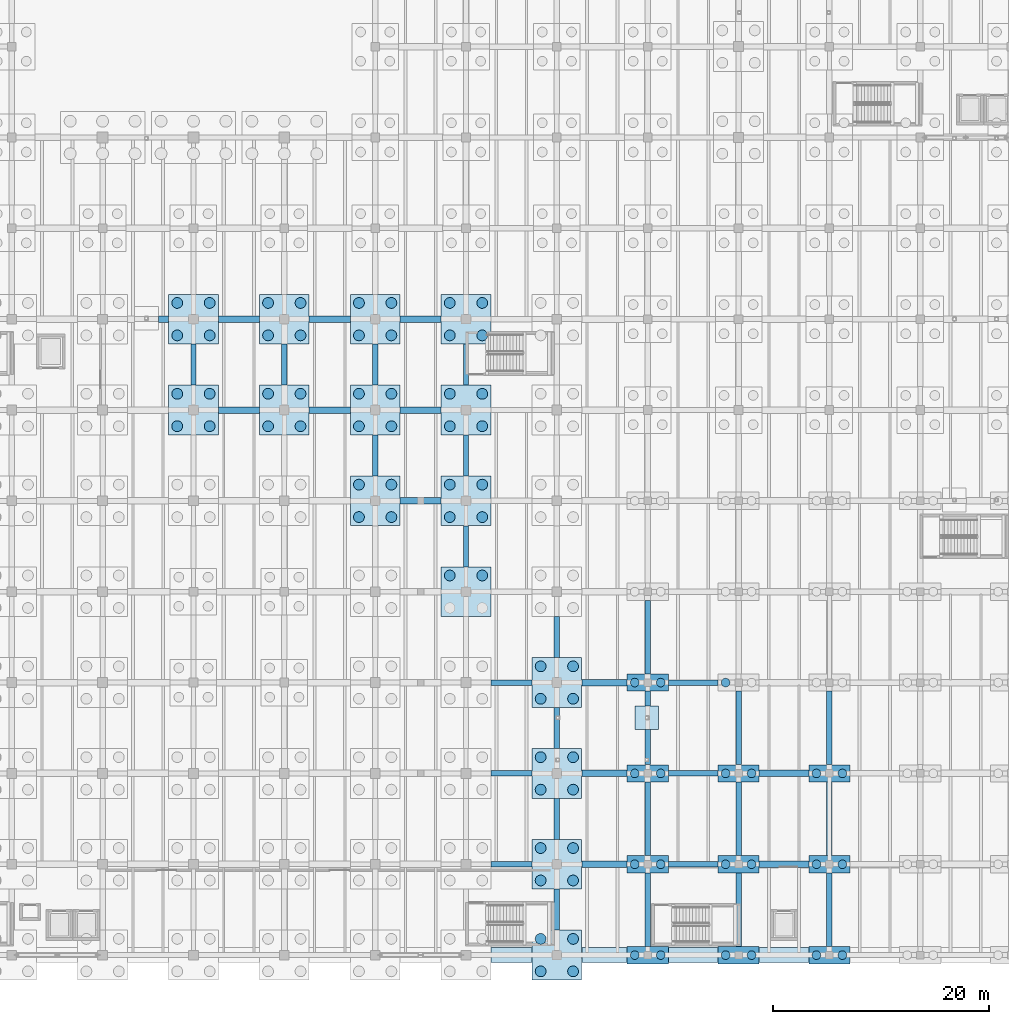
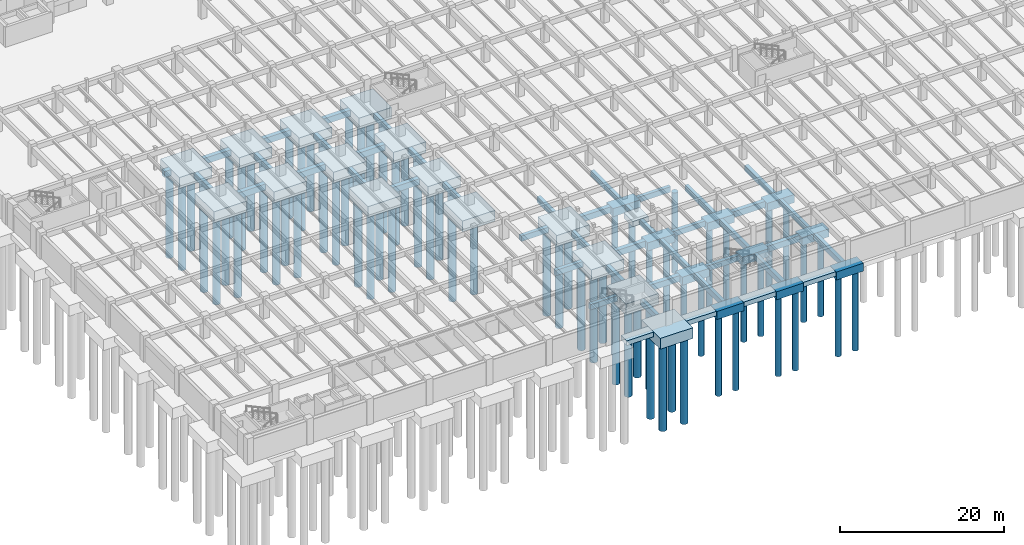
# One storey, part 3 of 70: 79 piles, 71 footings.
"""IFC4 building model written with IfcOpenShell, lengths in metres."""

from ifc_helpers import new_model, si_unit, direction, frame, origin, origin_2d, place, context, subcontext, project, spatial, rectangle, circle, extrude, material, material_profile, profile_set, type_object, element, save


model = new_model("IFC4")

# Units and contexts
model_context = context("Model", 3, precision=1e-05, world=origin(), true_north=direction((0.0, 1.0)))
body_context = subcontext(model_context, "Body", "Model", "MODEL_VIEW")
ifc_project = project(units=[si_unit("LENGTHUNIT", "METRE"), si_unit("AREAUNIT", "SQUARE_METRE"), si_unit("VOLUMEUNIT", "CUBIC_METRE"), si_unit("PLANEANGLEUNIT", "RADIAN"), si_unit("MASSUNIT", "GRAM", prefix="KILO")], contexts=[model_context])

# Site, building, storey
site_placement = place(None, origin())
site = spatial("IfcSite", under=ifc_project, at=site_placement, CompositionType="ELEMENT")
building_placement = place(site_placement, origin())
building = spatial("IfcBuilding", under=site, at=building_placement, Name="Cumbredor Promenade Congress Hotel", CompositionType="ELEMENT")
storey_placement = place(building_placement, frame((0.0, 0.0, -7.56005859375)))
storey = spatial("IfcBuildingStorey", under=building, at=storey_placement, Name="B02", CompositionType="ELEMENT", Elevation=-7.56005859375)

# Piles
ifc_material = material(Name="Concrete C40/50", Category="concrete")
ifc_material_profile_1 = material_profile(ifc_material, circle(Radius=0.39990234375, at=origin_2d()), Name="PILE D800")
ifc_profile_set_1 = profile_set([ifc_material_profile_1], Name="Concrete C40/50")
pile_type_1 = type_object("IfcPileType", Name="Bored Concrete Pile BP-01 800mm", PredefinedType="BORED", material=ifc_profile_set_1)
for number, where, z_axis, x_axis, name in (
    (1, (74.39990234375, 8.39990234375, -1.550048828125), (0.0, 0.0, -1.0), (1.0, 0.0, 0.0), "Bored Pile PC-01-114.1"),
    (2, (76.800048828125, 8.39990234375, -1.550048828125), (0.0, 0.0, -1.0), (1.0, 0.0, 0.0), "Bored Pile PC-01-114.2"),
    (3, (74.39990234375, 16.800048828125, -1.550048828125), (0.0, 0.0, -1.0), (1.0, 0.0, 0.0), "Bored Pile PC-01-115.1"),
    (4, (76.800048828125, 16.800048828125, -1.550048828125), (0.0, 0.0, -1.0), (1.0, 0.0, 0.0), "Bored Pile PC-01-115.2"),
    (5, (74.39990234375, 25.199951171875, -1.550048828125), (0.0, 0.0, -1.0), (1.0, 0.0, 0.0), "Bored Pile PC-01-116.1"),
    (6, (76.800048828125, 25.199951171875, -1.550048828125), (0.0, 0.0, -1.0), (1.0, 0.0, 0.0), "Bored Pile PC-01-116.2"),
    (7, (74.39990234375, 33.60009765625, -1.550048828125), (0.0, 0.0, -1.0), (1.0, 0.0, 0.0), "Bored Pile PC-01-117.1"),
    (8, (76.800048828125, 33.60009765625, -1.550048828125), (0.0, 0.0, -1.0), (1.0, 0.0, 0.0), "Bored Pile PC-01-117.2"),
    (9, (82.800048828125, 8.39990234375, -1.550048828125), (0.0, 0.0, -1.0), (1.0, 0.0, 0.0), "Bored Pile PC-01-128.1"),
    (10, (85.199951171875, 8.39990234375, -1.550048828125), (0.0, 0.0, -1.0), (1.0, 0.0, 0.0), "Bored Pile PC-01-128.2"),
    (11, (82.800048828125, 16.800048828125, -1.550048828125), (0.0, 0.0, -1.0), (1.0, 0.0, 0.0), "Bored Pile PC-01-129.1"),
    (12, (85.199951171875, 16.800048828125, -1.550048828125), (0.0, 0.0, -1.0), (1.0, 0.0, 0.0), "Bored Pile PC-01-129.2"),
    (13, (82.800048828125, 25.199951171875, -1.550048828125), (0.0, 0.0, -1.0), (1.0, 0.0, 0.0), "Bored Pile PC-01-130.1"),
    (14, (85.199951171875, 25.199951171875, -1.550048828125), (0.0, 0.0, -1.0), (1.0, 0.0, 0.0), "Bored Pile PC-01-130.2"),
    (15, (82.800048828125, 33.60009765625, -1.550048828125), (0.0, 0.0, -1.0), (1.0, 0.0, 0.0), "Bored Pile PC-01-131.1"),
    (16, (91.199951171875, 8.39990234375, -1.550048828125), (0.0, 0.0, -1.0), (1.0, 0.0, 0.0), "Bored Pile PC-01-142.1"),
    (17, (93.60009765625, 8.39990234375, -1.550048828125), (0.0, 0.0, -1.0), (1.0, 0.0, 0.0), "Bored Pile PC-01-142.2"),
    (18, (91.199951171875, 16.800048828125, -1.550048828125), (0.0, 0.0, -1.0), (1.0, 0.0, 0.0), "Bored Pile PC-01-143.1"),
    (19, (93.60009765625, 16.800048828125, -1.550048828125), (0.0, 0.0, -1.0), (1.0, 0.0, 0.0), "Bored Pile PC-01-143.2"),
    (20, (91.199951171875, 25.199951171875, -1.550048828125), (0.0, 0.0, -1.0), (1.0, 0.0, 0.0), "Bored Pile PC-01-144.1"),
    (21, (93.60009765625, 25.199951171875, -1.550048828125), (0.0, 0.0, -1.0), (1.0, 0.0, 0.0), "Bored Pile PC-01-144.2"),
):
    element("IfcPile", number, at=place(storey_placement, frame(where, z_axis=z_axis, x_axis=x_axis)), inside=storey, type_object=pile_type_1, Name=name, PredefinedType="BORED", context=body_context, shape_type="SweptSolid", body=[
        extrude(circle(Radius=0.39990234375, at=origin_2d()), origin(), (0.0, 0.0, 1.0), 12.0),
    ])
ifc_material_profile_2 = material_profile(ifc_material, circle(Radius=0.5, at=origin_2d()), Name="PILE D1000")
ifc_profile_set_2 = profile_set([ifc_material_profile_2], Name="Concrete C40/50")
pile_type_2 = type_object("IfcPileType", Name="Bored Concrete Pile BP-03 1000mm", PredefinedType="BORED", material=ifc_profile_set_2)
for number, where, z_axis, x_axis, name in (
    (22, (32.10009765625, 57.300048828125, -1.949951171875), (0.0, 0.0, -1.0), (1.0, 0.0, 0.0), "Bored Pile PC-03-052.1"),
    (23, (35.10009765625, 57.300048828125, -1.949951171875), (0.0, 0.0, -1.0), (1.0, 0.0, 0.0), "Bored Pile PC-03-052.2"),
    (24, (32.10009765625, 60.300048828125, -1.949951171875), (0.0, 0.0, -1.0), (1.0, 0.0, 0.0), "Bored Pile PC-03-052.3"),
    (25, (35.10009765625, 60.300048828125, -1.949951171875), (0.0, 0.0, -1.0), (1.0, 0.0, 0.0), "Bored Pile PC-03-052.4"),
    (26, (32.10009765625, 65.699951171875, -1.949951171875), (0.0, 0.0, -1.0), (1.0, 0.0, 0.0), "Bored Pile PC-03-053.1"),
    (27, (35.10009765625, 65.699951171875, -1.949951171875), (0.0, 0.0, -1.0), (1.0, 0.0, 0.0), "Bored Pile PC-03-053.2"),
    (28, (32.10009765625, 68.699951171875, -1.949951171875), (0.0, 0.0, -1.0), (1.0, 0.0, 0.0), "Bored Pile PC-03-053.3"),
    (29, (35.10009765625, 68.699951171875, -1.949951171875), (0.0, 0.0, -1.0), (1.0, 0.0, 0.0), "Bored Pile PC-03-053.4"),
    (30, (40.5, 57.300048828125, -1.949951171875), (0.0, 0.0, -1.0), (1.0, 0.0, 0.0), "Bored Pile PC-03-065.1"),
    (31, (43.5, 57.300048828125, -1.949951171875), (0.0, 0.0, -1.0), (1.0, 0.0, 0.0), "Bored Pile PC-03-065.2"),
    (32, (40.5, 60.300048828125, -1.949951171875), (0.0, 0.0, -1.0), (1.0, 0.0, 0.0), "Bored Pile PC-03-065.3"),
    (33, (43.5, 60.300048828125, -1.949951171875), (0.0, 0.0, -1.0), (1.0, 0.0, 0.0), "Bored Pile PC-03-065.4"),
    (34, (40.5, 65.699951171875, -1.949951171875), (0.0, 0.0, -1.0), (1.0, 0.0, 0.0), "Bored Pile PC-03-066.1"),
    (35, (43.5, 65.699951171875, -1.949951171875), (0.0, 0.0, -1.0), (1.0, 0.0, 0.0), "Bored Pile PC-03-066.2"),
    (36, (40.5, 68.699951171875, -1.949951171875), (0.0, 0.0, -1.0), (1.0, 0.0, 0.0), "Bored Pile PC-03-066.3"),
    (37, (43.5, 68.699951171875, -1.949951171875), (0.0, 0.0, -1.0), (1.0, 0.0, 0.0), "Bored Pile PC-03-066.4"),
    (38, (48.89990234375, 48.89990234375, -1.949951171875), (0.0, 0.0, -1.0), (1.0, 0.0, 0.0), "Bored Pile PC-03-077.1"),
    (39, (51.89990234375, 48.89990234375, -1.949951171875), (0.0, 0.0, -1.0), (1.0, 0.0, 0.0), "Bored Pile PC-03-077.2"),
    (40, (48.89990234375, 51.89990234375, -1.949951171875), (0.0, 0.0, -1.0), (1.0, 0.0, 0.0), "Bored Pile PC-03-077.3"),
    (41, (51.89990234375, 51.89990234375, -1.949951171875), (0.0, 0.0, -1.0), (1.0, 0.0, 0.0), "Bored Pile PC-03-077.4"),
    (42, (48.89990234375, 57.300048828125, -1.949951171875), (0.0, 0.0, -1.0), (1.0, 0.0, 0.0), "Bored Pile PC-03-078.1"),
    (43, (51.89990234375, 57.300048828125, -1.949951171875), (0.0, 0.0, -1.0), (1.0, 0.0, 0.0), "Bored Pile PC-03-078.2"),
    (44, (48.89990234375, 60.300048828125, -1.949951171875), (0.0, 0.0, -1.0), (1.0, 0.0, 0.0), "Bored Pile PC-03-078.3"),
    (45, (51.89990234375, 60.300048828125, -1.949951171875), (0.0, 0.0, -1.0), (1.0, 0.0, 0.0), "Bored Pile PC-03-078.4"),
    (46, (48.89990234375, 65.699951171875, -1.949951171875), (0.0, 0.0, -1.0), (1.0, 0.0, 0.0), "Bored Pile PC-03-079.1"),
    (47, (51.89990234375, 65.699951171875, -1.949951171875), (0.0, 0.0, -1.0), (1.0, 0.0, 0.0), "Bored Pile PC-03-079.2"),
    (48, (48.89990234375, 68.699951171875, -1.949951171875), (0.0, 0.0, -1.0), (1.0, 0.0, 0.0), "Bored Pile PC-03-079.3"),
    (49, (51.89990234375, 68.699951171875, -1.949951171875), (0.0, 0.0, -1.0), (1.0, 0.0, 0.0), "Bored Pile PC-03-079.4"),
    (50, (57.300048828125, 43.5, -1.949951171875), (0.0, 0.0, -1.0), (1.0, 0.0, 0.0), "Bored Pile PC-03-090.3"),
    (51, (60.300048828125, 43.5, -1.949951171875), (0.0, 0.0, -1.0), (1.0, 0.0, 0.0), "Bored Pile PC-03-090.4"),
    (52, (57.300048828125, 48.89990234375, -1.949951171875), (0.0, 0.0, -1.0), (1.0, 0.0, 0.0), "Bored Pile PC-03-091.1"),
    (53, (60.300048828125, 48.89990234375, -1.949951171875), (0.0, 0.0, -1.0), (1.0, 0.0, 0.0), "Bored Pile PC-03-091.2"),
    (54, (57.300048828125, 51.89990234375, -1.949951171875), (0.0, 0.0, -1.0), (1.0, 0.0, 0.0), "Bored Pile PC-03-091.3"),
    (55, (60.300048828125, 51.89990234375, -1.949951171875), (0.0, 0.0, -1.0), (1.0, 0.0, 0.0), "Bored Pile PC-03-091.4"),
    (56, (57.300048828125, 57.300048828125, -1.949951171875), (0.0, 0.0, -1.0), (1.0, 0.0, 0.0), "Bored Pile PC-03-092.1"),
    (57, (60.300048828125, 57.300048828125, -1.949951171875), (0.0, 0.0, -1.0), (1.0, 0.0, 0.0), "Bored Pile PC-03-092.2"),
    (58, (57.300048828125, 60.300048828125, -1.949951171875), (0.0, 0.0, -1.0), (1.0, 0.0, 0.0), "Bored Pile PC-03-092.3"),
    (59, (60.300048828125, 60.300048828125, -1.949951171875), (0.0, 0.0, -1.0), (1.0, 0.0, 0.0), "Bored Pile PC-03-092.4"),
    (60, (57.300048828125, 65.699951171875, -1.949951171875), (0.0, 0.0, -1.0), (1.0, 0.0, 0.0), "Bored Pile PC-03-093.1"),
    (61, (60.300048828125, 65.699951171875, -1.949951171875), (0.0, 0.0, -1.0), (1.0, 0.0, 0.0), "Bored Pile PC-03-093.2"),
    (62, (57.300048828125, 68.699951171875, -1.949951171875), (0.0, 0.0, -1.0), (1.0, 0.0, 0.0), "Bored Pile PC-03-093.3"),
    (63, (60.300048828125, 68.699951171875, -1.949951171875), (0.0, 0.0, -1.0), (1.0, 0.0, 0.0), "Bored Pile PC-03-093.4"),
    (64, (65.699951171875, 6.89990234375, -1.949951171875), (0.0, 0.0, -1.0), (1.0, 0.0, 0.0), "Bored Pile PC-03-100.1"),
    (65, (68.699951171875, 6.89990234375, -1.949951171875), (0.0, 0.0, -1.0), (1.0, 0.0, 0.0), "Bored Pile PC-03-100.2"),
    (66, (65.699951171875, 9.89990234375, -1.949951171875), (0.0, 0.0, -1.0), (1.0, 0.0, 0.0), "Bored Pile PC-03-100.3"),
    (67, (68.699951171875, 9.89990234375, -1.949951171875), (0.0, 0.0, -1.0), (1.0, 0.0, 0.0), "Bored Pile PC-03-100.4"),
    (68, (65.699951171875, 15.300048828125, -1.949951171875), (0.0, 0.0, -1.0), (1.0, 0.0, 0.0), "Bored Pile PC-03-101.1"),
    (69, (68.699951171875, 15.300048828125, -1.949951171875), (0.0, 0.0, -1.0), (1.0, 0.0, 0.0), "Bored Pile PC-03-101.2"),
    (70, (65.699951171875, 18.300048828125, -1.949951171875), (0.0, 0.0, -1.0), (1.0, 0.0, 0.0), "Bored Pile PC-03-101.3"),
    (71, (68.699951171875, 18.300048828125, -1.949951171875), (0.0, 0.0, -1.0), (1.0, 0.0, 0.0), "Bored Pile PC-03-101.4"),
    (72, (65.699951171875, 23.699951171875, -1.949951171875), (0.0, 0.0, -1.0), (1.0, 0.0, 0.0), "Bored Pile PC-03-102.1"),
    (73, (68.699951171875, 23.699951171875, -1.949951171875), (0.0, 0.0, -1.0), (1.0, 0.0, 0.0), "Bored Pile PC-03-102.2"),
    (74, (65.699951171875, 26.699951171875, -1.949951171875), (0.0, 0.0, -1.0), (1.0, 0.0, 0.0), "Bored Pile PC-03-102.3"),
    (75, (68.699951171875, 26.699951171875, -1.949951171875), (0.0, 0.0, -1.0), (1.0, 0.0, 0.0), "Bored Pile PC-03-102.4"),
    (76, (65.699951171875, 32.10009765625, -1.949951171875), (0.0, 0.0, -1.0), (1.0, 0.0, 0.0), "Bored Pile PC-03-103.1"),
    (77, (68.699951171875, 32.10009765625, -1.949951171875), (0.0, 0.0, -1.0), (1.0, 0.0, 0.0), "Bored Pile PC-03-103.2"),
    (78, (65.699951171875, 35.10009765625, -1.949951171875), (0.0, 0.0, -1.0), (1.0, 0.0, 0.0), "Bored Pile PC-03-103.3"),
    (79, (68.699951171875, 35.10009765625, -1.949951171875), (0.0, 0.0, -1.0), (1.0, 0.0, 0.0), "Bored Pile PC-03-103.4"),
):
    element("IfcPile", number, at=place(storey_placement, frame(where, z_axis=z_axis, x_axis=x_axis)), inside=storey, type_object=pile_type_2, Name=name, PredefinedType="BORED", context=body_context, shape_type="SweptSolid", body=[
        extrude(circle(Radius=0.5, at=origin_2d()), origin(), (0.0, 0.0, 1.0), 12.800048828125),
    ])

# Footings
ifc_material_profile_3 = material_profile(ifc_material, rectangle(XDim=0.5, YDim=0.800048828125, at=origin_2d()), Name="FB 500x800")
ifc_profile_set_3 = profile_set([ifc_material_profile_3], Name="Concrete C40/50")
footing_type_1 = type_object("IfcFootingType", Name="Concrete Footing Tie Beam FB-01 500x800", PredefinedType="FOOTING_BEAM", material=ifc_profile_set_3)
for number, where, z_axis, x_axis, name in (
    (80, (33.60009765625, 61.10205078125, -0.89990234375), (0.0, 1.0, 0.0), (-1.0, 0.0, 0.0), "Seismic Footing Tie Beam FB-095"),
    (81, (42.0, 61.10205078125, -0.89990234375), (0.0, 1.0, 0.0), (-1.0, 0.0, 0.0), "Seismic Footing Tie Beam FB-117"),
):
    element("IfcFooting", number, at=place(storey_placement, frame(where, z_axis=z_axis, x_axis=x_axis)), inside=storey, type_object=footing_type_1, Name=name, PredefinedType="FOOTING_BEAM", context=body_context, shape_type="SweptSolid", body=[
        extrude(rectangle(XDim=0.5, YDim=0.800048828125, at=origin_2d()), origin(), (0.0, 0.0, 1.0), 3.7958984375),
    ])
footing_1_placement = place(storey_placement, frame((50.39990234375, 52.701904296875, -0.89990234375), z_axis=(0.0, 1.0, 0.0), x_axis=(-1.0, 0.0, 0.0)))
element("IfcFooting", 82, at=footing_1_placement, inside=storey, type_object=footing_type_1, Name="Seismic Footing Tie Beam FB-139", PredefinedType="FOOTING_BEAM", context=body_context, shape_type="SweptSolid", body=[
    extrude(rectangle(XDim=0.5, YDim=0.800048828125, at=origin_2d()), origin(), (0.0, 0.0, 1.0), 3.796142578125),
])
for number, where, z_axis, x_axis, name in (
    (83, (50.39990234375, 61.10205078125, -0.89990234375), (0.0, 1.0, 0.0), (-1.0, 0.0, 0.0), "Seismic Footing Tie Beam FB-141"),
    (84, (61.10205078125, 16.800048828125, -0.89990234375), (1.0, 0.0, 0.0), (0.0, 1.0, 0.0), "Seismic Footing Tie Beam FB-157"),
    (85, (61.10205078125, 25.199951171875, -0.89990234375), (1.0, 0.0, 0.0), (0.0, 1.0, 0.0), "Seismic Footing Tie Beam FB-159"),
    (86, (61.10205078125, 33.60009765625, -0.89990234375), (1.0, 0.0, 0.0), (0.0, 1.0, 0.0), "Seismic Footing Tie Beam FB-161"),
    (87, (58.800048828125, 44.302001953125, -0.89990234375), (0.0, 1.0, 0.0), (-1.0, 0.0, 0.0), "Seismic Footing Tie Beam FB-164"),
):
    element("IfcFooting", number, at=place(storey_placement, frame(where, z_axis=z_axis, x_axis=x_axis)), inside=storey, type_object=footing_type_1, Name=name, PredefinedType="FOOTING_BEAM", context=body_context, shape_type="SweptSolid", body=[
        extrude(rectangle(XDim=0.5, YDim=0.800048828125, at=origin_2d()), origin(), (0.0, 0.0, 1.0), 3.7958984375),
    ])
footing_2_placement = place(storey_placement, frame((58.800048828125, 52.701904296875, -0.89990234375), z_axis=(0.0, 1.0, 0.0), x_axis=(-1.0, 0.0, 0.0)))
element("IfcFooting", 88, at=footing_2_placement, inside=storey, type_object=footing_type_1, Name="Seismic Footing Tie Beam FB-166", PredefinedType="FOOTING_BEAM", context=body_context, shape_type="SweptSolid", body=[
    extrude(rectangle(XDim=0.5, YDim=0.800048828125, at=origin_2d()), origin(), (0.0, 0.0, 1.0), 3.796142578125),
])
footing_3_placement = place(storey_placement, frame((58.800048828125, 61.10205078125, -0.89990234375), z_axis=(0.0, 1.0, 0.0), x_axis=(-1.0, 0.0, 0.0)))
element("IfcFooting", 89, at=footing_3_placement, inside=storey, type_object=footing_type_1, Name="Seismic Footing Tie Beam FB-168", PredefinedType="FOOTING_BEAM", context=body_context, shape_type="SweptSolid", body=[
    extrude(rectangle(XDim=0.5, YDim=0.800048828125, at=origin_2d()), origin(), (0.0, 0.0, 1.0), 3.7958984375),
])
footing_4_placement = place(storey_placement, frame((67.199951171875, 10.701904296875, -0.89990234375), z_axis=(0.0, 1.0, 0.0), x_axis=(-1.0, 0.0, 0.0)))
element("IfcFooting", 90, at=footing_4_placement, inside=storey, type_object=footing_type_1, Name="Seismic Footing Tie Beam FB-183", PredefinedType="FOOTING_BEAM", context=body_context, shape_type="SweptSolid", body=[
    extrude(rectangle(XDim=0.5, YDim=0.800048828125, at=origin_2d()), origin(), (0.0, 0.0, 1.0), 3.796142578125),
])
footing_5_placement = place(storey_placement, frame((67.199951171875, 19.10205078125, -0.89990234375), z_axis=(0.0, 1.0, 0.0), x_axis=(-1.0, 0.0, 0.0)))
element("IfcFooting", 91, at=footing_5_placement, inside=storey, type_object=footing_type_1, Name="Seismic Footing Tie Beam FB-185", PredefinedType="FOOTING_BEAM", context=body_context, shape_type="SweptSolid", body=[
    extrude(rectangle(XDim=0.5, YDim=0.800048828125, at=origin_2d()), origin(), (0.0, 0.0, 1.0), 3.7958984375),
])
footing_6_placement = place(storey_placement, frame((67.199951171875, 27.501953125, -0.89990234375), z_axis=(0.0, 1.0, 0.0), x_axis=(-1.0, 0.0, 0.0)))
element("IfcFooting", 92, at=footing_6_placement, inside=storey, type_object=footing_type_1, Name="Seismic Footing Tie Beam FB-187", PredefinedType="FOOTING_BEAM", context=body_context, shape_type="SweptSolid", body=[
    extrude(rectangle(XDim=0.5, YDim=0.800048828125, at=origin_2d()), origin(), (0.0, 0.0, 1.0), 3.796142578125),
])
footing_7_placement = place(storey_placement, frame((67.199951171875, 35.902099609375, -0.89990234375), z_axis=(0.0, 1.0, 0.0), x_axis=(-1.0, 0.0, 0.0)))
element("IfcFooting", 93, at=footing_7_placement, inside=storey, type_object=footing_type_1, Name="Seismic Footing Tie Beam FB-189", PredefinedType="FOOTING_BEAM", context=body_context, shape_type="SweptSolid", body=[
    extrude(rectangle(XDim=0.5, YDim=0.800048828125, at=origin_2d()), origin(), (0.0, 0.0, 1.0), 3.7958984375),
])
footing_8_placement = place(storey_placement, frame((75.60009765625, 9.201904296875, -0.89990234375), z_axis=(0.0, 1.0, 0.0), x_axis=(-1.0, 0.0, 0.0)))
element("IfcFooting", 94, at=footing_8_placement, inside=storey, type_object=footing_type_1, Name="Seismic Footing Tie Beam FB-210", PredefinedType="FOOTING_BEAM", context=body_context, shape_type="SweptSolid", body=[
    extrude(rectangle(XDim=0.5, YDim=0.800048828125, at=origin_2d()), origin(), (0.0, 0.0, 1.0), 6.796142578125),
])
footing_9_placement = place(storey_placement, frame((77.501953125, 16.800048828125, -0.89990234375), z_axis=(1.0, 0.0, 0.0), x_axis=(0.0, 1.0, 0.0)))
element("IfcFooting", 95, at=footing_9_placement, inside=storey, type_object=footing_type_1, Name="Seismic Footing Tie Beam FB-211", PredefinedType="FOOTING_BEAM", context=body_context, shape_type="SweptSolid", body=[
    extrude(rectangle(XDim=0.5, YDim=0.800048828125, at=origin_2d()), origin(), (0.0, 0.0, 1.0), 4.595947265625),
])
footing_10_placement = place(storey_placement, frame((75.60009765625, 17.60205078125, -0.89990234375), z_axis=(0.0, 1.0, 0.0), x_axis=(-1.0, 0.0, 0.0)))
element("IfcFooting", 96, at=footing_10_placement, inside=storey, type_object=footing_type_1, Name="Seismic Footing Tie Beam FB-212", PredefinedType="FOOTING_BEAM", context=body_context, shape_type="SweptSolid", body=[
    extrude(rectangle(XDim=0.5, YDim=0.800048828125, at=origin_2d()), origin(), (0.0, 0.0, 1.0), 6.7958984375),
])
footing_11_placement = place(storey_placement, frame((77.501953125, 25.199951171875, -0.89990234375), z_axis=(1.0, 0.0, 0.0), x_axis=(0.0, 1.0, 0.0)))
element("IfcFooting", 97, at=footing_11_placement, inside=storey, type_object=footing_type_1, Name="Seismic Footing Tie Beam FB-213", PredefinedType="FOOTING_BEAM", context=body_context, shape_type="SweptSolid", body=[
    extrude(rectangle(XDim=0.5, YDim=0.800048828125, at=origin_2d()), origin(), (0.0, 0.0, 1.0), 4.595947265625),
])
footing_12_placement = place(storey_placement, frame((75.60009765625, 26.001953125, -0.89990234375), z_axis=(0.0, 1.0, 0.0), x_axis=(-1.0, 0.0, 0.0)))
element("IfcFooting", 98, at=footing_12_placement, inside=storey, type_object=footing_type_1, Name="Seismic Footing Tie Beam FB-214 Seg 01", PredefinedType="FOOTING_BEAM", context=body_context, shape_type="SweptSolid", body=[
    extrude(rectangle(XDim=0.5, YDim=0.800048828125, at=origin_2d()), origin(), (0.0, 0.0, 1.0), 3.24609375),
])
footing_13_placement = place(storey_placement, frame((75.60009765625, 31.451904296875, -0.89990234375), z_axis=(0.0, 1.0, 0.0), x_axis=(-1.0, 0.0, 0.0)))
element("IfcFooting", 99, at=footing_13_placement, inside=storey, type_object=footing_type_1, Name="Seismic Footing Tie Beam FB-214 Seg 02", PredefinedType="FOOTING_BEAM", context=body_context, shape_type="SweptSolid", body=[
    extrude(rectangle(XDim=0.5, YDim=0.800048828125, at=origin_2d()), origin(), (0.0, 0.0, 1.0), 1.34619140625),
])
footing_14_placement = place(storey_placement, frame((77.501953125, 33.60009765625, -0.89990234375), z_axis=(1.0, 0.0, 0.0), x_axis=(0.0, 1.0, 0.0)))
element("IfcFooting", 100, at=footing_14_placement, inside=storey, type_object=footing_type_1, Name="Seismic Footing Tie Beam FB-215", PredefinedType="FOOTING_BEAM", context=body_context, shape_type="SweptSolid", body=[
    extrude(rectangle(XDim=0.5, YDim=0.800048828125, at=origin_2d()), origin(), (0.0, 0.0, 1.0), 4.595947265625),
])
footing_15_placement = place(storey_placement, frame((75.60009765625, 34.402099609375, -0.89990234375), z_axis=(0.0, 1.0, 0.0), x_axis=(-1.0, 0.0, 0.0)))
element("IfcFooting", 101, at=footing_15_placement, inside=storey, type_object=footing_type_1, Name="Seismic Footing Tie Beam FB-216", PredefinedType="FOOTING_BEAM", context=body_context, shape_type="SweptSolid", body=[
    extrude(rectangle(XDim=0.5, YDim=0.800048828125, at=origin_2d()), origin(), (0.0, 0.0, 1.0), 6.7958984375),
])
footing_16_placement = place(storey_placement, frame((84.0, 9.201904296875, -0.89990234375), z_axis=(0.0, 1.0, 0.0), x_axis=(-1.0, 0.0, 0.0)))
element("IfcFooting", 102, at=footing_16_placement, inside=storey, type_object=footing_type_1, Name="Seismic Footing Tie Beam FB-237", PredefinedType="FOOTING_BEAM", context=body_context, shape_type="SweptSolid", body=[
    extrude(rectangle(XDim=0.5, YDim=0.800048828125, at=origin_2d()), origin(), (0.0, 0.0, 1.0), 6.796142578125),
])
footing_17_placement = place(storey_placement, frame((84.0, 17.60205078125, -0.89990234375), z_axis=(0.0, 1.0, 0.0), x_axis=(-1.0, 0.0, 0.0)))
element("IfcFooting", 103, at=footing_17_placement, inside=storey, type_object=footing_type_1, Name="Seismic Footing Tie Beam FB-239", PredefinedType="FOOTING_BEAM", context=body_context, shape_type="SweptSolid", body=[
    extrude(rectangle(XDim=0.5, YDim=0.800048828125, at=origin_2d()), origin(), (0.0, 0.0, 1.0), 6.7958984375),
])
for number, where, z_axis, x_axis, name in (
    (104, (84.0, 26.001953125, -0.89990234375), (0.0, 1.0, 0.0), (-1.0, 0.0, 0.0), "Seismic Footing Tie Beam FB-241"),
    (105, (92.39990234375, 9.201904296875, -0.89990234375), (0.0, 1.0, 0.0), (-1.0, 0.0, 0.0), "Seismic Footing Tie Beam FB-264"),
):
    element("IfcFooting", number, at=place(storey_placement, frame(where, z_axis=z_axis, x_axis=x_axis)), inside=storey, type_object=footing_type_1, Name=name, PredefinedType="FOOTING_BEAM", context=body_context, shape_type="SweptSolid", body=[
        extrude(rectangle(XDim=0.5, YDim=0.800048828125, at=origin_2d()), origin(), (0.0, 0.0, 1.0), 6.796142578125),
    ])
footing_18_placement = place(storey_placement, frame((92.39990234375, 17.60205078125, -0.89990234375), z_axis=(0.0, 1.0, 0.0), x_axis=(-1.0, 0.0, 0.0)))
element("IfcFooting", 106, at=footing_18_placement, inside=storey, type_object=footing_type_1, Name="Seismic Footing Tie Beam FB-266", PredefinedType="FOOTING_BEAM", context=body_context, shape_type="SweptSolid", body=[
    extrude(rectangle(XDim=0.5, YDim=0.800048828125, at=origin_2d()), origin(), (0.0, 0.0, 1.0), 6.7958984375),
])
footing_19_placement = place(storey_placement, frame((92.39990234375, 26.001953125, -0.89990234375), z_axis=(0.0, 1.0, 0.0), x_axis=(-1.0, 0.0, 0.0)))
element("IfcFooting", 107, at=footing_19_placement, inside=storey, type_object=footing_type_1, Name="Seismic Footing Tie Beam FB-268", PredefinedType="FOOTING_BEAM", context=body_context, shape_type="SweptSolid", body=[
    extrude(rectangle(XDim=0.5, YDim=0.800048828125, at=origin_2d()), origin(), (0.0, 0.0, 1.0), 6.796142578125),
])
ifc_material_profile_4 = material_profile(ifc_material, rectangle(XDim=0.60009765625, YDim=0.89990234375, at=origin_2d()), Name="FB 600x900")
ifc_profile_set_4 = profile_set([ifc_material_profile_4], Name="Concrete C40/50")
footing_type_2 = type_object("IfcFootingType", Name="Concrete Footing Tie Beam FB-02 600x900", PredefinedType="FOOTING_BEAM", material=ifc_profile_set_4)
footing_20_placement = place(storey_placement, frame((30.35205078125, 67.199951171875, -0.949951171875), z_axis=(1.0, 0.0, 0.0), x_axis=(0.0, 1.0, 0.0)))
element("IfcFooting", 108, at=footing_20_placement, inside=storey, type_object=footing_type_2, Name="Seismic Footing Tie Beam FB-074 Seg 02", PredefinedType="FOOTING_BEAM", context=body_context, shape_type="SweptSolid", body=[
    extrude(rectangle(XDim=0.60009765625, YDim=0.89990234375, at=origin_2d()), origin(), (0.0, 0.0, 1.0), 0.946044921875),
])
for number, where, z_axis, x_axis, name in (
    (109, (35.902099609375, 58.800048828125, -0.949951171875), (1.0, 0.0, 0.0), (0.0, 1.0, 0.0), "Seismic Footing Tie Beam FB-094"),
    (110, (35.902099609375, 67.199951171875, -0.949951171875), (1.0, 0.0, 0.0), (0.0, 1.0, 0.0), "Seismic Footing Tie Beam FB-096"),
    (111, (44.302001953125, 58.800048828125, -0.949951171875), (1.0, 0.0, 0.0), (0.0, 1.0, 0.0), "Seismic Footing Tie Beam FB-116"),
    (112, (44.302001953125, 67.199951171875, -0.949951171875), (1.0, 0.0, 0.0), (0.0, 1.0, 0.0), "Seismic Footing Tie Beam FB-118"),
):
    element("IfcFooting", number, at=place(storey_placement, frame(where, z_axis=z_axis, x_axis=x_axis)), inside=storey, type_object=footing_type_2, Name=name, PredefinedType="FOOTING_BEAM", context=body_context, shape_type="SweptSolid", body=[
        extrude(rectangle(XDim=0.60009765625, YDim=0.89990234375, at=origin_2d()), origin(), (0.0, 0.0, 1.0), 3.7958984375),
    ])
for number, where, z_axis, x_axis, name in (
    (113, (52.701904296875, 50.39990234375, -0.949951171875), (1.0, 0.0, 0.0), (0.0, 1.0, 0.0), "Seismic Footing Tie Beam FB-138"),
    (114, (52.701904296875, 58.800048828125, -0.949951171875), (1.0, 0.0, 0.0), (0.0, 1.0, 0.0), "Seismic Footing Tie Beam FB-140"),
    (115, (52.701904296875, 67.199951171875, -0.949951171875), (1.0, 0.0, 0.0), (0.0, 1.0, 0.0), "Seismic Footing Tie Beam FB-142"),
):
    element("IfcFooting", number, at=place(storey_placement, frame(where, z_axis=z_axis, x_axis=x_axis)), inside=storey, type_object=footing_type_2, Name=name, PredefinedType="FOOTING_BEAM", context=body_context, shape_type="SweptSolid", body=[
        extrude(rectangle(XDim=0.60009765625, YDim=0.89990234375, at=origin_2d()), origin(), (0.0, 0.0, 1.0), 3.796142578125),
    ])
for number, where, z_axis, x_axis, name in (
    (116, (69.501953125, 16.800048828125, -0.949951171875), (1.0, 0.0, 0.0), (0.0, 1.0, 0.0), "Seismic Footing Tie Beam FB-184"),
    (117, (69.501953125, 25.199951171875, -0.949951171875), (1.0, 0.0, 0.0), (0.0, 1.0, 0.0), "Seismic Footing Tie Beam FB-186"),
    (118, (69.501953125, 33.60009765625, -0.949951171875), (1.0, 0.0, 0.0), (0.0, 1.0, 0.0), "Seismic Footing Tie Beam FB-188"),
):
    element("IfcFooting", number, at=place(storey_placement, frame(where, z_axis=z_axis, x_axis=x_axis)), inside=storey, type_object=footing_type_2, Name=name, PredefinedType="FOOTING_BEAM", context=body_context, shape_type="SweptSolid", body=[
        extrude(rectangle(XDim=0.60009765625, YDim=0.89990234375, at=origin_2d()), origin(), (0.0, 0.0, 1.0), 4.196044921875),
    ])
for number, where, z_axis, x_axis, name in (
    (119, (85.902099609375, 16.800048828125, -0.949951171875), (1.0, 0.0, 0.0), (0.0, 1.0, 0.0), "Seismic Footing Tie Beam FB-238"),
    (120, (85.902099609375, 25.199951171875, -0.949951171875), (1.0, 0.0, 0.0), (0.0, 1.0, 0.0), "Seismic Footing Tie Beam FB-240"),
):
    element("IfcFooting", number, at=place(storey_placement, frame(where, z_axis=z_axis, x_axis=x_axis)), inside=storey, type_object=footing_type_2, Name=name, PredefinedType="FOOTING_BEAM", context=body_context, shape_type="SweptSolid", body=[
        extrude(rectangle(XDim=0.60009765625, YDim=0.89990234375, at=origin_2d()), origin(), (0.0, 0.0, 1.0), 4.595947265625),
    ])
footing_type_3 = type_object("IfcFootingType", Name="Concrete Pad Footing PF-01 2200x2200x800", PredefinedType="PAD_FOOTING", material=ifc_material)
footing_21_placement = place(storey_placement, frame((75.52001953125, 30.35009765625, -1.2998046875), z_axis=(0.0, 0.0, 1.0), x_axis=(1.0, 0.0, 0.0)))
element("IfcFooting", 121, at=footing_21_placement, inside=storey, type_object=footing_type_3, Name="Central Plenary-to-Spa Pool Bridge Corbel Pier Footing 4", PredefinedType="PAD_FOOTING", context=body_context, shape_type="SweptSolid", body=[
    extrude(rectangle(XDim=2.199951171875, YDim=2.199951171875, at=origin_2d()), origin(), (0.0, 0.0, 1.0), 0.800048828125),
])
footing_type_4 = type_object("IfcFootingType", Name="Concrete Pile Cap PC-01 3800x1600x1200", PredefinedType="PILE_CAP", material=ifc_material)
for number, where, z_axis, x_axis, name in (
    (122, (75.60009765625, 8.39990234375, -1.69970703125), (0.0, 0.0, 1.0), (1.0, 0.0, 0.0), "Pile Cap PC-01 114"),
    (123, (75.60009765625, 16.800048828125, -1.69970703125), (0.0, 0.0, 1.0), (1.0, 0.0, 0.0), "Pile Cap PC-01 115"),
    (124, (75.60009765625, 25.199951171875, -1.69970703125), (0.0, 0.0, 1.0), (1.0, 0.0, 0.0), "Pile Cap PC-01 116"),
    (125, (75.60009765625, 33.60009765625, -1.69970703125), (0.0, 0.0, 1.0), (1.0, 0.0, 0.0), "Pile Cap PC-01 117"),
    (126, (84.0, 8.39990234375, -1.69970703125), (0.0, 0.0, 1.0), (1.0, 0.0, 0.0), "Pile Cap PC-01 128"),
    (127, (84.0, 16.800048828125, -1.69970703125), (0.0, 0.0, 1.0), (1.0, 0.0, 0.0), "Pile Cap PC-01 129"),
    (128, (84.0, 25.199951171875, -1.69970703125), (0.0, 0.0, 1.0), (1.0, 0.0, 0.0), "Pile Cap PC-01 130"),
    (129, (92.39990234375, 8.39990234375, -1.69970703125), (0.0, 0.0, 1.0), (1.0, 0.0, 0.0), "Pile Cap PC-01 142"),
    (130, (92.39990234375, 16.800048828125, -1.69970703125), (0.0, 0.0, 1.0), (1.0, 0.0, 0.0), "Pile Cap PC-01 143"),
    (131, (92.39990234375, 25.199951171875, -1.69970703125), (0.0, 0.0, 1.0), (1.0, 0.0, 0.0), "Pile Cap PC-01 144"),
):
    element("IfcFooting", number, at=place(storey_placement, frame(where, z_axis=z_axis, x_axis=x_axis)), inside=storey, type_object=footing_type_4, Name=name, PredefinedType="PILE_CAP", context=body_context, shape_type="SweptSolid", body=[
        extrude(rectangle(XDim=3.800048828125, YDim=1.60009765625, at=origin_2d()), origin(), (0.0, 0.0, 1.0), 1.199951171875),
    ])
footing_type_5 = type_object("IfcFootingType", Name="Concrete Pile Cap PC-03 4600x4600x1600", PredefinedType="PILE_CAP", material=ifc_material)
for number, where, z_axis, x_axis, name in (
    (132, (33.60009765625, 58.800048828125, -2.10009765625), (0.0, 0.0, 1.0), (1.0, 0.0, 0.0), "Pile Cap PC-03 052"),
    (133, (33.60009765625, 67.199951171875, -2.10009765625), (0.0, 0.0, 1.0), (1.0, 0.0, 0.0), "Pile Cap PC-03 053"),
    (134, (42.0, 58.800048828125, -2.10009765625), (0.0, 0.0, 1.0), (1.0, 0.0, 0.0), "Pile Cap PC-03 065"),
    (135, (42.0, 67.199951171875, -2.10009765625), (0.0, 0.0, 1.0), (1.0, 0.0, 0.0), "Pile Cap PC-03 066"),
    (136, (50.39990234375, 50.39990234375, -2.10009765625), (0.0, 0.0, 1.0), (1.0, 0.0, 0.0), "Pile Cap PC-03 077"),
    (137, (50.39990234375, 58.800048828125, -2.10009765625), (0.0, 0.0, 1.0), (1.0, 0.0, 0.0), "Pile Cap PC-03 078"),
    (138, (50.39990234375, 67.199951171875, -2.10009765625), (0.0, 0.0, 1.0), (1.0, 0.0, 0.0), "Pile Cap PC-03 079"),
    (139, (58.800048828125, 42.0, -2.10009765625), (0.0, 0.0, 1.0), (1.0, 0.0, 0.0), "Pile Cap PC-03 090"),
    (140, (58.800048828125, 50.39990234375, -2.10009765625), (0.0, 0.0, 1.0), (1.0, 0.0, 0.0), "Pile Cap PC-03 091"),
    (141, (58.800048828125, 58.800048828125, -2.10009765625), (0.0, 0.0, 1.0), (1.0, 0.0, 0.0), "Pile Cap PC-03 092"),
    (142, (58.800048828125, 67.199951171875, -2.10009765625), (0.0, 0.0, 1.0), (1.0, 0.0, 0.0), "Pile Cap PC-03 093"),
    (143, (67.199951171875, 8.39990234375, -2.10009765625), (0.0, 0.0, 1.0), (1.0, 0.0, 0.0), "Pile Cap PC-03 100"),
    (144, (67.199951171875, 16.800048828125, -2.10009765625), (0.0, 0.0, 1.0), (1.0, 0.0, 0.0), "Pile Cap PC-03 101"),
    (145, (67.199951171875, 25.199951171875, -2.10009765625), (0.0, 0.0, 1.0), (1.0, 0.0, 0.0), "Pile Cap PC-03 102"),
    (146, (67.199951171875, 33.60009765625, -2.10009765625), (0.0, 0.0, 1.0), (1.0, 0.0, 0.0), "Pile Cap PC-03 103"),
):
    element("IfcFooting", number, at=place(storey_placement, frame(where, z_axis=z_axis, x_axis=x_axis)), inside=storey, type_object=footing_type_5, Name=name, PredefinedType="PILE_CAP", context=body_context, shape_type="SweptSolid", body=[
        extrude(rectangle(XDim=4.60009765625, YDim=4.60009765625, at=origin_2d()), origin(), (0.0, 0.0, 1.0), 1.60009765625),
    ])
ifc_material_profile_5 = material_profile(ifc_material, rectangle(XDim=1.39990234375, YDim=0.699951171875, at=origin_2d()), Name="SF 1400x700")
ifc_profile_set_5 = profile_set([ifc_material_profile_5], Name="Concrete C40/50")
footing_type_6 = type_object("IfcFootingType", Name="Concrete Strip Footing SF-01 1400x700", PredefinedType="STRIP_FOOTING", material=ifc_profile_set_5)
footing_22_placement = place(storey_placement, frame((61.10205078125, 8.39990234375, -0.849853515625), z_axis=(1.0, 0.0, 0.0), x_axis=(0.0, 1.0, 0.0)))
element("IfcFooting", 147, at=footing_22_placement, inside=storey, type_object=footing_type_6, Name="Perimeter Strip Footing SF-01 Seg 07", PredefinedType="STRIP_FOOTING", context=body_context, shape_type="SweptSolid", body=[
    extrude(rectangle(XDim=1.39990234375, YDim=0.699951171875, at=origin_2d()), origin(), (0.0, 0.0, 1.0), 3.7958984375),
])
footing_23_placement = place(storey_placement, frame((69.501953125, 8.39990234375, -0.849853515625), z_axis=(1.0, 0.0, 0.0), x_axis=(0.0, 1.0, 0.0)))
element("IfcFooting", 148, at=footing_23_placement, inside=storey, type_object=footing_type_6, Name="Perimeter Strip Footing SF-01 Seg 08", PredefinedType="STRIP_FOOTING", context=body_context, shape_type="SweptSolid", body=[
    extrude(rectangle(XDim=1.39990234375, YDim=0.699951171875, at=origin_2d()), origin(), (0.0, 0.0, 1.0), 4.196044921875),
])
for number, where, z_axis, x_axis, name in (
    (149, (77.501953125, 8.39990234375, -0.849853515625), (1.0, 0.0, 0.0), (0.0, 1.0, 0.0), "Perimeter Strip Footing SF-01 Seg 09"),
    (150, (85.902099609375, 8.39990234375, -0.849853515625), (1.0, 0.0, 0.0), (0.0, 1.0, 0.0), "Perimeter Strip Footing SF-01 Seg 10"),
):
    element("IfcFooting", number, at=place(storey_placement, frame(where, z_axis=z_axis, x_axis=x_axis)), inside=storey, type_object=footing_type_6, Name=name, PredefinedType="STRIP_FOOTING", context=body_context, shape_type="SweptSolid", body=[
        extrude(rectangle(XDim=1.39990234375, YDim=0.699951171875, at=origin_2d()), origin(), (0.0, 0.0, 1.0), 4.595947265625),
    ])

save(model, "model.ifc")
